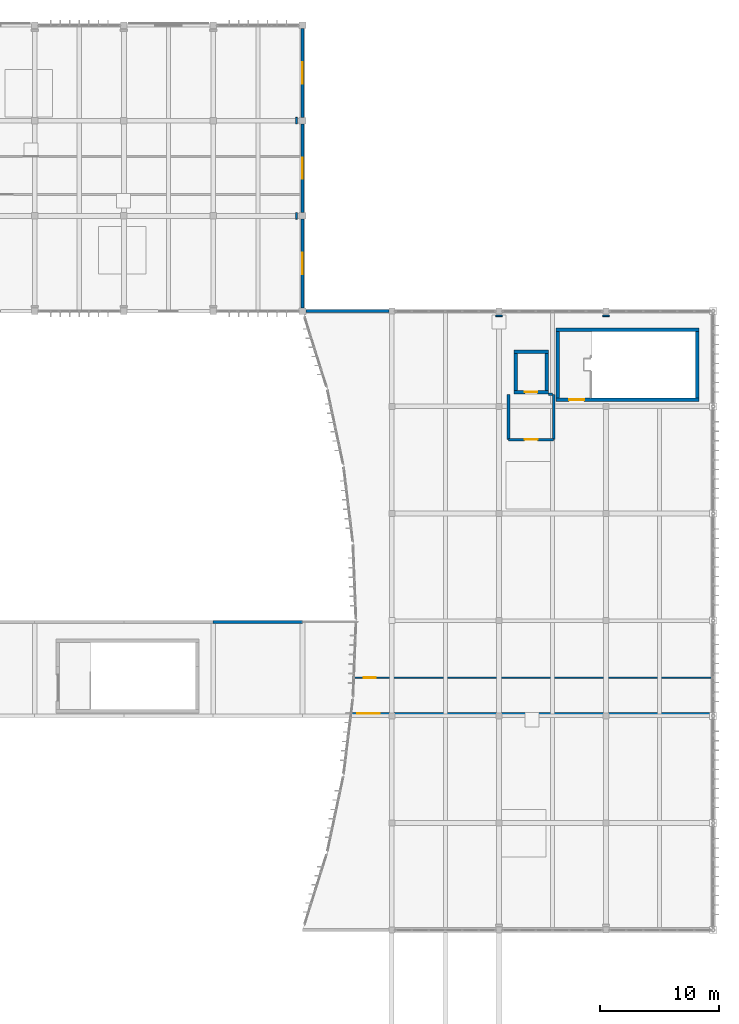
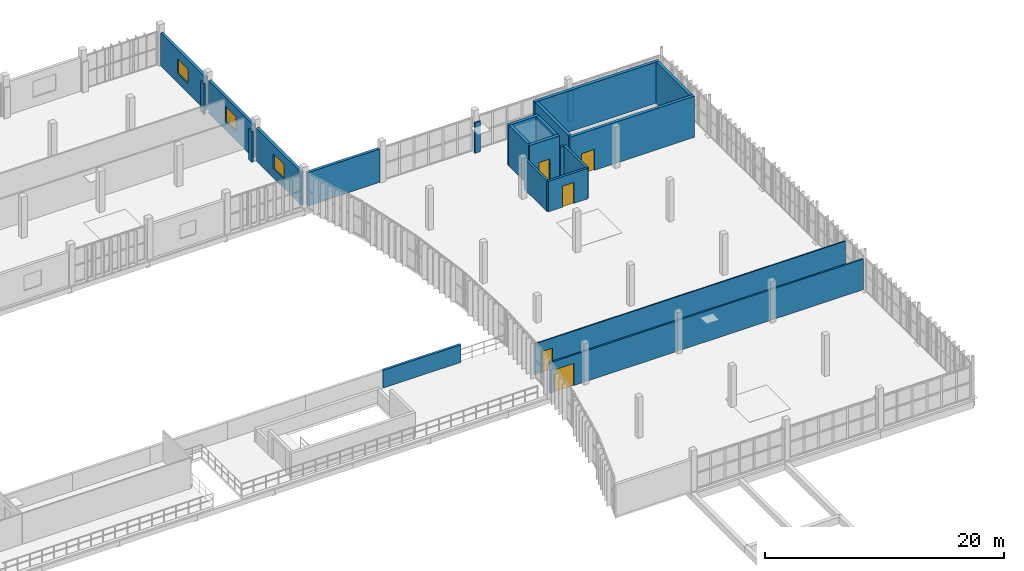
# One storey, part 46 of 61: 23 walls, 5 doors, 3 windows, 8 openings.
"""IFC4 building model written with IfcOpenShell, lengths in metres."""

from ifc_helpers import new_model, si_unit, direction, frame, frame_2d, origin, place, context, subcontext, project, spatial, rectangle, extrude, material, layer, layer_set, type_object, element, fill, save


model = new_model("IFC4")

# Units and contexts
model_context = context("Model", 3, precision=1e-05, world=origin(), true_north=direction((0.0, 1.0)))
body_context = subcontext(model_context, "Body", "Model", "MODEL_VIEW")
ifc_project = project(units=[si_unit("LENGTHUNIT", "METRE"), si_unit("AREAUNIT", "SQUARE_METRE"), si_unit("VOLUMEUNIT", "CUBIC_METRE"), si_unit("PLANEANGLEUNIT", "RADIAN"), si_unit("MASSUNIT", "GRAM", prefix="KILO")], contexts=[model_context])

# Site, building, storey
site_placement = place(None, origin())
site = spatial("IfcSite", under=ifc_project, at=site_placement, CompositionType="ELEMENT")
building_placement = place(site_placement, origin())
building = spatial("IfcBuilding", under=site, at=building_placement, Name="Vourika Railside Aquatics Centre", CompositionType="ELEMENT")
storey_placement = place(building_placement, frame((0.0, 0.0, 9.300048828125)))
storey = spatial("IfcBuildingStorey", under=building, at=storey_placement, Name="L02", CompositionType="ELEMENT", Elevation=9.300048828125)

# Wall, opening, door
ifc_material_1 = material(Name="Concrete C40/50", Category="concrete")
ifc_layer_1 = layer(ifc_material_1, 0.300048828125, Name="WL-CORE")
ifc_layer_set_1 = layer_set([ifc_layer_1], Name="Concrete C40/50")
wall_type_1 = type_object("IfcWallType", Name="WL-CORE", PredefinedType="SHEAR", material=ifc_layer_set_1)
wall_1_placement = place(storey_placement, frame((154.800048828125, 84.550048828125, 0.0), z_axis=(0.0, 0.0, 1.0), x_axis=(1.0, 0.0, 0.0)))
wall_1 = element("IfcWall", 1, at=wall_1_placement, inside=storey, type_object=wall_type_1, Name="Protected Exit Stair Core ST05 South Wall (L02)", PredefinedType="SHEAR", context=body_context, shape_type="SweptSolid", body=[
    extrude(rectangle(XDim=12.0, YDim=0.300048828125, at=frame_2d((6.0, 0.0))), origin(), (0.0, 0.0, 1.0), 4.199951171875),
])
opening_1_placement = place(wall_1_placement, frame((1.10009765625, 0.0, 0.0)))
opening_1 = element("IfcOpeningElement", 2, at=opening_1_placement, cuts=wall_1, Name="Opening DF02", PredefinedType="OPENING", context=body_context, shape_type="SweptSolid", body=[
    extrude(rectangle(XDim=1.25, YDim=2.14990234375, at=frame_2d((0.625, 1.074951171875))), frame((0.0, 0.16015625, 0.0), z_axis=(0.0, -1.0, 0.0), x_axis=(1.0, 0.0, 0.0)), (0.0, 0.0, 1.0), 0.320068359375),
])
ifc_material_2 = material(Name="Fire-rated wide exit stair door")
door_type_1 = type_object("IfcDoorType", Name="DR-FD60-125", OperationType="NOTDEFINED", PredefinedType="DOOR", material=ifc_material_2)
door_1_placement = place(opening_1_placement, origin())
door_1 = element("IfcDoor", 3, at=door_1_placement, inside=storey, type_object=door_type_1, Name="Protected Exit Stair Core ST05 Enclosure Fire Door (L02)", OperationType="SINGLE_SWING_LEFT", OverallHeight=2.14990234375, OverallWidth=1.25, PredefinedType="DOOR", context=body_context, shape_type="SweptSolid", body=[
    extrude(rectangle(XDim=1.25, YDim=2.14990234375, at=frame_2d((0.625, 1.074951171875))), frame((0.0, 0.02490234375, 0.0), z_axis=(0.0, -1.0, 0.0), x_axis=(1.0, 0.0, 0.0)), (0.0, 0.0, 1.0), 0.050048828125),
])
fill(opening_1, door_1)

# Walls
wall_2_placement = place(storey_placement, frame((166.800048828125, 90.449951171875, 0.0), z_axis=(0.0, 0.0, 1.0), x_axis=(-1.0, 0.0, 0.0)))
element("IfcWall", 4, at=wall_2_placement, inside=storey, type_object=wall_type_1, Name="Protected Exit Stair Core ST05 North Wall (L02)", PredefinedType="SHEAR", context=body_context, shape_type="SweptSolid", body=[
    extrude(rectangle(XDim=12.0, YDim=0.300048828125, at=frame_2d((6.0, 0.0))), origin(), (0.0, 0.0, 1.0), 4.199951171875),
])
for number, where, z_axis, x_axis, name in (
    (5, (154.949951171875, 90.300048828125, 0.0), (0.0, 0.0, 1.0), (0.0, -1.0, 0.0), "Protected Exit Stair Core ST05 West Wall (L02)"),
    (6, (166.64990234375, 84.699951171875, 0.0), (0.0, 0.0, 1.0), (0.0, 1.0, 0.0), "Protected Exit Stair Core ST05 East Wall (L02)"),
):
    element("IfcWall", number, at=place(storey_placement, frame(where, z_axis=z_axis, x_axis=x_axis)), inside=storey, type_object=wall_type_1, Name=name, PredefinedType="SHEAR", context=body_context, shape_type="SweptSolid", body=[
        extrude(rectangle(XDim=5.60009765625, YDim=0.300048828125, at=frame_2d((2.800048828125, 0.0))), origin(), (0.0, 0.0, 1.0), 4.199951171875),
    ])

# Wall, opening, door
wall_3_placement = place(storey_placement, frame((151.25, 85.199951171875, 0.0), z_axis=(0.0, 0.0, 1.0), x_axis=(1.0, 0.0, 0.0)))
wall_3 = element("IfcWall", 7, at=wall_3_placement, inside=storey, type_object=wall_type_1, Name="Lift LP01 Shaft South Wall (L02)", PredefinedType="SHEAR", context=body_context, shape_type="SweptSolid", body=[
    extrude(rectangle(XDim=2.89990234375, YDim=0.300048828125, at=frame_2d((1.449951171875, 0.0))), origin(), (0.0, 0.0, 1.0), 4.199951171875),
])
opening_2_placement = place(wall_3_placement, frame((0.925048828125, 0.0, 0.0)))
opening_2 = element("IfcOpeningElement", 8, at=opening_2_placement, cuts=wall_3, Name="Opening LD02", PredefinedType="OPENING", context=body_context, shape_type="SweptSolid", body=[
    extrude(rectangle(XDim=1.050048828125, YDim=2.14990234375, at=frame_2d((0.52490234375, 1.074951171875))), frame((0.0, 0.16015625, 0.0), z_axis=(0.0, -1.0, 0.0), x_axis=(1.0, 0.0, 0.0)), (0.0, 0.0, 1.0), 0.320068359375),
])
ifc_material_3 = material(Name="Stainless passenger lift landing door")
door_type_2 = type_object("IfcDoorType", Name="DR-LIFT-LD2", OperationType="DOUBLE_DOOR_SLIDING", PredefinedType="DOOR", material=ifc_material_3)
door_2_placement = place(opening_2_placement, origin())
door_2 = element("IfcDoor", 9, at=door_2_placement, inside=storey, type_object=door_type_2, Name="Lift LP01 Sliding Landing Door (L02)", OperationType="DOUBLE_DOOR_SLIDING", OverallHeight=2.14990234375, OverallWidth=1.050048828125, PredefinedType="DOOR", context=body_context, shape_type="SweptSolid", body=[
    extrude(rectangle(XDim=1.050048828125, YDim=2.14990234375, at=frame_2d((0.52490234375, 1.074951171875))), frame((0.0, 0.02490234375, 0.0), z_axis=(0.0, -1.0, 0.0), x_axis=(1.0, 0.0, 0.0)), (0.0, 0.0, 1.0), 0.050048828125),
])
fill(opening_2, door_2)

# Walls
wall_4_placement = place(storey_placement, frame((154.14990234375, 88.60009765625, 0.0), z_axis=(0.0, 0.0, 1.0), x_axis=(-1.0, 0.0, 0.0)))
element("IfcWall", 10, at=wall_4_placement, inside=storey, type_object=wall_type_1, Name="Lift LP01 Shaft North Wall (L02)", PredefinedType="SHEAR", context=body_context, shape_type="SweptSolid", body=[
    extrude(rectangle(XDim=2.89990234375, YDim=0.300048828125, at=frame_2d((1.449951171875, 0.0))), origin(), (0.0, 0.0, 1.0), 4.199951171875),
])
for number, where, z_axis, x_axis, name in (
    (11, (151.39990234375, 88.60009765625, 0.0), (0.0, 0.0, 1.0), (0.0, -1.0, 0.0), "Lift LP01 Shaft West Wall (L02)"),
    (12, (154.0, 85.199951171875, 0.0), (0.0, 0.0, 1.0), (0.0, 1.0, 0.0), "Lift LP01 Shaft East Wall (L02)"),
):
    element("IfcWall", number, at=place(storey_placement, frame(where, z_axis=z_axis, x_axis=x_axis)), inside=storey, type_object=wall_type_1, Name=name, PredefinedType="SHEAR", context=body_context, shape_type="SweptSolid", body=[
        extrude(rectangle(XDim=3.400146484375, YDim=0.300048828125, at=frame_2d((1.7001953125, 0.0))), origin(), (0.0, 0.0, 1.0), 4.199951171875),
    ])
ifc_material_4 = material(Name="Precast concrete C40/50", Category="concrete")
ifc_layer_2 = layer(ifc_material_4, 0.27001953125, Name="WL-EXT-270")
ifc_layer_set_2 = layer_set([ifc_layer_2], Name="Precast concrete C40/50")
wall_type_2 = type_object("IfcWallType", Name="WL-EXT-270", PredefinedType="SOLIDWALL", material=ifc_layer_set_2)
wall_5_placement = place(storey_placement, frame((140.75, 92.0, 0.0), z_axis=(0.0, 0.0, 1.0), x_axis=(-1.0, 0.0, 0.0)))
element("IfcWall", 13, at=wall_5_placement, inside=storey, type_object=wall_type_2, Name="Foyer North Return Wall L02", PredefinedType="SOLIDWALL", context=body_context, shape_type="SweptSolid", body=[
    extrude(rectangle(XDim=6.97509765625, YDim=0.27001953125, at=frame_2d((3.487548828125, 0.0))), origin(), (0.0, 0.0, 1.0), 3.409912109375),
])

# Wall, opening, window
wall_6_placement = place(storey_placement, frame((133.5, 92.27490234375, 0.0), z_axis=(0.0, 0.0, 1.0), x_axis=(0.0, 1.0, 0.0)))
wall_6 = element("IfcWall", 14, at=wall_6_placement, inside=storey, type_object=wall_type_2, Name="Fitness Step-Back East Wall L02-1", PredefinedType="SOLIDWALL", context=body_context, shape_type="SweptSolid", body=[
    extrude(rectangle(XDim=7.4501953125, YDim=0.27001953125, at=frame_2d((3.72509765625, 0.0))), origin(), (0.0, 0.0, 1.0), 3.35986328125),
])
opening_3_placement = place(wall_6_placement, frame((2.824951171875, 0.0, 0.949951171875)))
opening_3 = element("IfcOpeningElement", 15, at=opening_3_placement, cuts=wall_6, Name="Opening W08", PredefinedType="OPENING", context=body_context, shape_type="SweptSolid", body=[
    extrude(rectangle(XDim=1.800048828125, YDim=1.5, at=frame_2d((0.89990234375, 0.75))), frame((0.0, 0.14501953125, 0.0), z_axis=(0.0, -1.0, 0.0), x_axis=(1.0, 0.0, 0.0)), (0.0, 0.0, 1.0), 0.2900390625),
])
ifc_material_5 = material(Name="Laminated solar-control glass", Category="glass")
window_type = type_object("IfcWindowType", Name="WN-CLN-180x150", PartitioningType="SINGLE_PANEL", PredefinedType="WINDOW", material=ifc_material_5)
window_1_placement = place(opening_3_placement, origin())
window_1 = element("IfcWindow", 16, at=window_1_placement, inside=storey, type_object=window_type, Name="Fitness East Window L02-1", OverallHeight=1.5, OverallWidth=1.800048828125, PartitioningType="SINGLE_PANEL", PredefinedType="WINDOW", context=body_context, shape_type="SweptSolid", body=[
    extrude(rectangle(XDim=1.800048828125, YDim=1.5, at=frame_2d((0.89990234375, 0.75))), frame((0.0, 0.030029296875, 0.0), z_axis=(0.0, -1.0, 0.0), x_axis=(1.0, 0.0, 0.0)), (0.0, 0.0, 1.0), 0.06005859375),
])
fill(opening_3, window_1)

wall_7_placement = place(storey_placement, frame((133.5, 100.27490234375, 0.0), z_axis=(0.0, 0.0, 1.0), x_axis=(0.0, 1.0, 0.0)))
wall_7 = element("IfcWall", 17, at=wall_7_placement, inside=storey, type_object=wall_type_2, Name="Fitness Step-Back East Wall L02-2", PredefinedType="SOLIDWALL", context=body_context, shape_type="SweptSolid", body=[
    extrude(rectangle(XDim=7.4501953125, YDim=0.27001953125, at=frame_2d((3.72509765625, 0.0))), origin(), (0.0, 0.0, 1.0), 3.35986328125),
])
opening_4_placement = place(wall_7_placement, frame((2.824951171875, 0.0, 0.949951171875)))
opening_4 = element("IfcOpeningElement", 18, at=opening_4_placement, cuts=wall_7, Name="Opening W08", PredefinedType="OPENING", context=body_context, shape_type="SweptSolid", body=[
    extrude(rectangle(XDim=1.800048828125, YDim=1.5, at=frame_2d((0.89990234375, 0.75))), frame((0.0, 0.14501953125, 0.0), z_axis=(0.0, -1.0, 0.0), x_axis=(1.0, 0.0, 0.0)), (0.0, 0.0, 1.0), 0.2900390625),
])
window_2_placement = place(opening_4_placement, origin())
window_2 = element("IfcWindow", 19, at=window_2_placement, inside=storey, type_object=window_type, Name="Fitness East Window L02-2", OverallHeight=1.5, OverallWidth=1.800048828125, PartitioningType="SINGLE_PANEL", PredefinedType="WINDOW", context=body_context, shape_type="SweptSolid", body=[
    extrude(rectangle(XDim=1.800048828125, YDim=1.5, at=frame_2d((0.89990234375, 0.75))), frame((0.0, 0.030029296875, 0.0), z_axis=(0.0, -1.0, 0.0), x_axis=(1.0, 0.0, 0.0)), (0.0, 0.0, 1.0), 0.06005859375),
])
fill(opening_4, window_2)

wall_8_placement = place(storey_placement, frame((133.5, 108.27490234375, 0.0), z_axis=(0.0, 0.0, 1.0), x_axis=(0.0, 1.0, 0.0)))
wall_8 = element("IfcWall", 20, at=wall_8_placement, inside=storey, type_object=wall_type_2, Name="Fitness Step-Back East Wall L02-3", PredefinedType="SOLIDWALL", context=body_context, shape_type="SweptSolid", body=[
    extrude(rectangle(XDim=7.4501953125, YDim=0.27001953125, at=frame_2d((3.72509765625, 0.0))), origin(), (0.0, 0.0, 1.0), 3.35986328125),
])
opening_5_placement = place(wall_8_placement, frame((2.824951171875, 0.0, 0.949951171875)))
opening_5 = element("IfcOpeningElement", 21, at=opening_5_placement, cuts=wall_8, Name="Opening W08", PredefinedType="OPENING", context=body_context, shape_type="SweptSolid", body=[
    extrude(rectangle(XDim=1.800048828125, YDim=1.5, at=frame_2d((0.89990234375, 0.75))), frame((0.0, 0.14501953125, 0.0), z_axis=(0.0, -1.0, 0.0), x_axis=(1.0, 0.0, 0.0)), (0.0, 0.0, 1.0), 0.2900390625),
])
window_3_placement = place(opening_5_placement, origin())
window_3 = element("IfcWindow", 22, at=window_3_placement, inside=storey, type_object=window_type, Name="Fitness East Window L02-3", OverallHeight=1.5, OverallWidth=1.800048828125, PartitioningType="SINGLE_PANEL", PredefinedType="WINDOW", context=body_context, shape_type="SweptSolid", body=[
    extrude(rectangle(XDim=1.800048828125, YDim=1.5, at=frame_2d((0.89990234375, 0.75))), frame((0.0, 0.030029296875, 0.0), z_axis=(0.0, -1.0, 0.0), x_axis=(1.0, 0.0, 0.0)), (0.0, 0.0, 1.0), 0.06005859375),
])
fill(opening_5, window_3)

# Wall, opening, door
ifc_material_6 = material(Name="Concrete C35/45", Category="concrete")
ifc_layer_3 = layer(ifc_material_6, 0.219970703125, Name="WL-FIRE")
ifc_layer_set_3 = layer_set([ifc_layer_3], Name="Concrete C35/45")
wall_type_3 = type_object("IfcWallType", Name="WL-FIRE", PredefinedType="SOLIDWALL", material=ifc_layer_set_3)
wall_9_placement = place(storey_placement, frame((150.800048828125, 81.199951171875, 0.0), z_axis=(0.0, 0.0, 1.0), x_axis=(1.0, 0.0, 0.0)))
wall_9 = element("IfcWall", 23, at=wall_9_placement, inside=storey, type_object=wall_type_3, Name="Lift LP01 Lobby Corridor Fire Wall (L02)", PredefinedType="SOLIDWALL", context=body_context, shape_type="SweptSolid", body=[
    extrude(rectangle(XDim=3.800048828125, YDim=0.219970703125, at=frame_2d((1.89990234375, 0.0))), origin(), (0.0, 0.0, 1.0), 3.119873046875),
])
opening_6_placement = place(wall_9_placement, frame((1.35009765625, 0.0, 0.0)))
opening_6 = element("IfcOpeningElement", 24, at=opening_6_placement, cuts=wall_9, Name="Opening DF01", PredefinedType="OPENING", context=body_context, shape_type="SweptSolid", body=[
    extrude(rectangle(XDim=1.10009765625, YDim=2.14990234375, at=frame_2d((0.550048828125, 1.074951171875))), frame((0.0, 0.1201171875, 0.0), z_axis=(0.0, -1.0, 0.0), x_axis=(1.0, 0.0, 0.0)), (0.0, 0.0, 1.0), 0.239990234375),
])
ifc_material_7 = material(Name="Fire-rated steel and timber core door", Category="steel")
door_type_3 = type_object("IfcDoorType", Name="DR-FD60", OperationType="NOTDEFINED", PredefinedType="DOOR", material=ifc_material_7)
door_3_placement = place(opening_6_placement, origin())
door_3 = element("IfcDoor", 25, at=door_3_placement, inside=storey, type_object=door_type_3, Name="Lift LP01 Lobby Fire Door (L02)", OperationType="SINGLE_SWING_LEFT", OverallHeight=2.14990234375, OverallWidth=1.10009765625, PredefinedType="DOOR", context=body_context, shape_type="SweptSolid", body=[
    extrude(rectangle(XDim=1.10009765625, YDim=2.14990234375, at=frame_2d((0.550048828125, 1.074951171875))), frame((0.0, 0.02490234375, 0.0), z_axis=(0.0, -1.0, 0.0), x_axis=(1.0, 0.0, 0.0)), (0.0, 0.0, 1.0), 0.050048828125),
])
fill(opening_6, door_3)

# Walls
for number, where, z_axis, x_axis, name in (
    (26, (150.800048828125, 81.199951171875, 0.0), (0.0, 0.0, 1.0), (0.0, 1.0, 0.0), "Lift LP01 Lobby West Fire Wall (L02)"),
    (27, (154.60009765625, 81.199951171875, 0.0), (0.0, 0.0, 1.0), (0.0, 1.0, 0.0), "Lift LP01 Lobby East Fire Wall (L02)"),
):
    element("IfcWall", number, at=place(storey_placement, frame(where, z_axis=z_axis, x_axis=x_axis)), inside=storey, type_object=wall_type_3, Name=name, PredefinedType="SOLIDWALL", context=body_context, shape_type="SweptSolid", body=[
        extrude(rectangle(XDim=3.800048828125, YDim=0.219970703125, at=frame_2d((1.89990234375, 0.0))), origin(), (0.0, 0.0, 1.0), 3.119873046875),
    ])
wall_10_placement = place(storey_placement, frame((154.14990234375, 85.0, 0.0), z_axis=(0.0, 0.0, 1.0), x_axis=(1.0, 0.0, 0.0)))
element("IfcWall", 28, at=wall_10_placement, inside=storey, type_object=wall_type_3, Name="Lift LP01 Lobby North-East Closure Wall (L02)", PredefinedType="SOLIDWALL", context=body_context, shape_type="SweptSolid", body=[
    extrude(rectangle(XDim=0.330078125, YDim=0.219970703125, at=frame_2d((0.1650390625, 0.0))), origin(), (0.0, 0.0, 1.0), 3.119873046875),
])
ifc_layer_4 = layer(ifc_material_4, 0.22998046875, Name="WL-PAR-230")
ifc_layer_set_4 = layer_set([ifc_layer_4], Name="Precast concrete C40/50")
wall_type_4 = type_object("IfcWallType", Name="WL-PAR-230", PredefinedType="PARAPET", material=ifc_layer_set_4)
wall_11_placement = place(storey_placement, frame((133.5, 65.8798828125, 0.0), z_axis=(0.0, 0.0, 1.0), x_axis=(-1.0, 0.0, 0.0)))
element("IfcWall", 29, at=wall_11_placement, inside=storey, type_object=wall_type_4, Name="Broadcast Catwalk North Spandrel 13", PredefinedType="PARAPET", context=body_context, shape_type="SweptSolid", body=[
    extrude(rectangle(XDim=7.5, YDim=0.22998046875, at=frame_2d((3.75, 0.0))), origin(), (0.0, 0.0, 1.0), 1.800048828125),
])
ifc_material_8 = material(Name="Lightweight drylining partition")
ifc_layer_5 = layer(ifc_material_8, 0.1201171875, Name="WL-PART-120")
ifc_layer_set_5 = layer_set([ifc_layer_5], Name="Lightweight drylining partition")
wall_type_5 = type_object("IfcWallType", Name="WL-PART-120", PredefinedType="PARTITIONING", material=ifc_layer_set_5)
for number, where, z_axis, x_axis, name in (
    (30, (149.719970703125, 91.60009765625, 0.0), (0.0, 0.0, 1.0), (1.0, 0.0, 0.0), "Cameroon Aquatics Federation Operations Suite Partition 1"),
    (31, (158.719970703125, 91.60009765625, 0.0), (0.0, 0.0, 1.0), (1.0, 0.0, 0.0), "Cameroon Aquatics Federation Operations Suite Partition 2"),
):
    element("IfcWall", number, at=place(storey_placement, frame(where, z_axis=z_axis, x_axis=x_axis)), inside=storey, type_object=wall_type_5, Name=name, PredefinedType="PARTITIONING", context=body_context, shape_type="SweptSolid", body=[
        extrude(rectangle(XDim=0.56005859375, YDim=0.1201171875, at=frame_2d((0.280029296875, 0.0))), origin(), (0.0, 0.0, 1.0), 3.119873046875),
    ])

# Wall, opening, door
wall_12_placement = place(storey_placement, frame((167.919921875, 61.199951171875, 0.0), z_axis=(0.0, 0.0, 1.0), x_axis=(-1.0, 0.0, 0.0)))
wall_12 = element("IfcWall", 32, at=wall_12_placement, inside=storey, type_object=wall_type_5, Name="Cameroon Aquatics Federation Operations Suite Partition 3", PredefinedType="PARTITIONING", context=body_context, shape_type="SweptSolid", body=[
    extrude(rectangle(XDim=30.038818359375, YDim=0.1201171875, at=frame_2d((15.01953125, 0.0))), origin(), (0.0, 0.0, 1.0), 3.119873046875),
])
opening_7_placement = place(wall_12_placement, frame((28.26953125, 0.0, 0.0)))
opening_7 = element("IfcOpeningElement", 33, at=opening_7_placement, cuts=wall_12, Name="Opening DI01", PredefinedType="OPENING", context=body_context, shape_type="SweptSolid", body=[
    extrude(rectangle(XDim=1.0, YDim=2.10009765625, at=frame_2d((0.5, 1.050048828125))), frame((0.0, 0.070068359375, 0.0), z_axis=(0.0, -1.0, 0.0), x_axis=(1.0, 0.0, 0.0)), (0.0, 0.0, 1.0), 0.14013671875),
])
ifc_material_9 = material(Name="Anodized aluminium and laminate door", Category="aluminium")
door_type_4 = type_object("IfcDoorType", Name="DR-INT-1000", OperationType="NOTDEFINED", PredefinedType="DOOR", material=ifc_material_9)
door_4_placement = place(opening_7_placement, origin())
door_4 = element("IfcDoor", 34, at=door_4_placement, inside=storey, type_object=door_type_4, Name="Cameroon Aquatics Federation Operations Suite Door", OperationType="SINGLE_SWING_LEFT", OverallHeight=2.10009765625, OverallWidth=1.0, PredefinedType="DOOR", context=body_context, shape_type="SweptSolid", body=[
    extrude(rectangle(XDim=1.0, YDim=2.10009765625, at=frame_2d((0.5, 1.050048828125))), frame((0.0, 0.02490234375, 0.0), z_axis=(0.0, -1.0, 0.0), x_axis=(1.0, 0.0, 0.0)), (0.0, 0.0, 1.0), 0.050048828125),
])
fill(opening_7, door_4)

# Walls
ifc_material_10 = material(Name="Clinical hygienic partition")
ifc_layer_6 = layer(ifc_material_10, 0.139892578125, Name="WL-PART-140")
ifc_layer_set_6 = layer_set([ifc_layer_6], Name="Clinical hygienic partition")
wall_type_6 = type_object("IfcWallType", Name="WL-PART-140", PredefinedType="PARTITIONING", material=ifc_layer_set_6)
for number, where, z_axis, x_axis, name in (
    (35, (133.0, 100.27490234375, 0.0), (0.0, 0.0, 1.0), (0.0, -1.0, 0.0), "Exercise Physiology and VO2 Testing Laboratory Partition 2"),
    (36, (133.0, 108.27490234375, 0.0), (0.0, 0.0, 1.0), (0.0, -1.0, 0.0), "Rehabilitation Gait and Isokinetic Laboratory Partition 3"),
):
    element("IfcWall", number, at=place(storey_placement, frame(where, z_axis=z_axis, x_axis=x_axis)), inside=storey, type_object=wall_type_6, Name=name, PredefinedType="PARTITIONING", context=body_context, shape_type="SweptSolid", body=[
        extrude(rectangle(XDim=0.5498046875, YDim=0.139892578125, at=frame_2d((0.27490234375, 0.0))), origin(), (0.0, 0.0, 1.0), 3.119873046875),
    ])

# Wall, opening, door
ifc_material_11 = material(Name="Acoustic twin-stud partition")
ifc_layer_7 = layer(ifc_material_11, 0.159912109375, Name="WL-PART-160")
ifc_layer_set_7 = layer_set([ifc_layer_7], Name="Acoustic twin-stud partition")
wall_type_7 = type_object("IfcWallType", Name="WL-PART-160", PredefinedType="PARTITIONING", material=ifc_layer_set_7)
wall_13_placement = place(storey_placement, frame((137.654541015625, 58.199951171875, 0.0), z_axis=(0.0, 0.0, 1.0), x_axis=(1.0, 0.0, 0.0)))
wall_13 = element("IfcWall", 37, at=wall_13_placement, inside=storey, type_object=wall_type_7, Name="Press Auditorium Partition 1", PredefinedType="PARTITIONING", context=body_context, shape_type="SweptSolid", body=[
    extrude(rectangle(XDim=30.265380859375, YDim=0.159912109375, at=frame_2d((15.1328125, 0.0))), origin(), (0.0, 0.0, 1.0), 3.119873046875),
])
opening_8_placement = place(wall_13_placement, frame((0.4326171875, 0.0, 0.0)))
opening_8 = element("IfcOpeningElement", 38, at=opening_8_placement, cuts=wall_13, Name="Opening DI05", PredefinedType="OPENING", context=body_context, shape_type="SweptSolid", body=[
    extrude(rectangle(XDim=1.89990234375, YDim=2.25, at=frame_2d((0.949951171875, 1.125))), frame((0.0, 0.08984375, 0.0), z_axis=(0.0, -1.0, 0.0), x_axis=(1.0, 0.0, 0.0)), (0.0, 0.0, 1.0), 0.179931640625),
])
ifc_material_12 = material(Name="Double auditorium and hall door")
door_type_5 = type_object("IfcDoorType", Name="DR-INT-1900D", OperationType="DOUBLE_DOOR_SINGLE_SWING", PredefinedType="DOOR", material=ifc_material_12)
door_5_placement = place(opening_8_placement, origin())
door_5 = element("IfcDoor", 39, at=door_5_placement, inside=storey, type_object=door_type_5, Name="Press Auditorium Door", OperationType="DOUBLE_DOOR_SINGLE_SWING", OverallHeight=2.25, OverallWidth=1.89990234375, PredefinedType="DOOR", context=body_context, shape_type="SweptSolid", body=[
    extrude(rectangle(XDim=1.89990234375, YDim=2.25, at=frame_2d((0.949951171875, 1.125))), frame((0.0, 0.02490234375, 0.0), z_axis=(0.0, -1.0, 0.0), x_axis=(1.0, 0.0, 0.0)), (0.0, 0.0, 1.0), 0.050048828125),
])
fill(opening_8, door_5)

save(model, "model.ifc")
